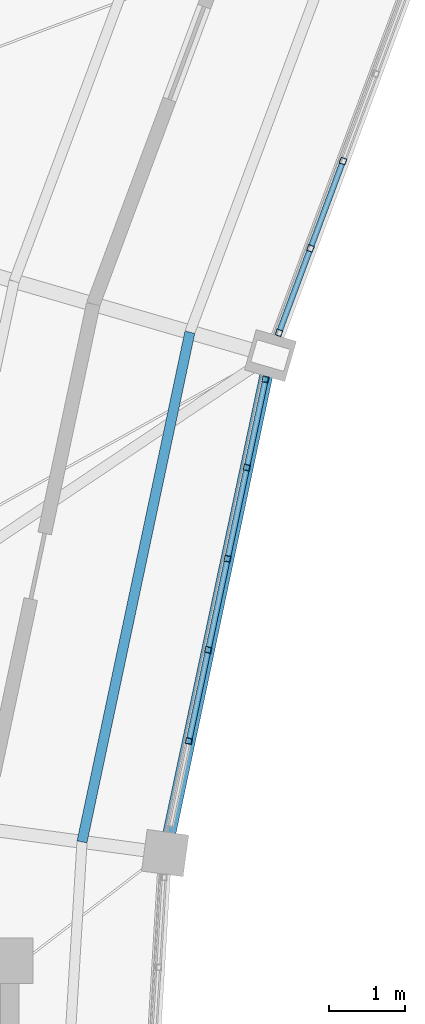
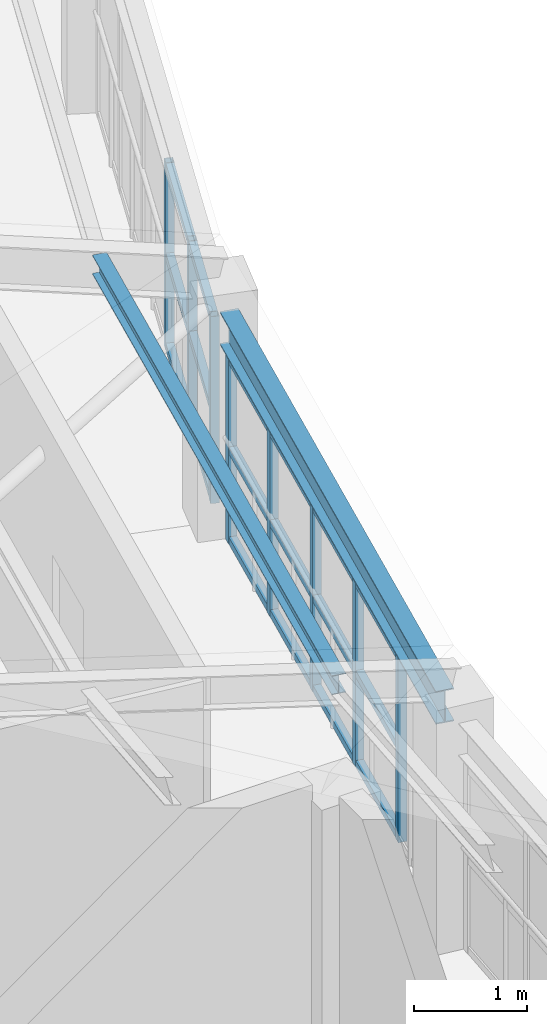
# One storey, part 65 of 149: 27 members, 1 beam, 2 elements without a shape of their own.
"""IFC4 building model written with IfcOpenShell, lengths in metres."""

from ifc_helpers import new_model, si_unit, direction, frame, origin, origin_2d, place, context, subcontext, project, spatial, hollow_rectangle, i_section, extrude, material, material_profile, profile_set, type_object, element, aggregate, save


model = new_model("IFC4")

# Units and contexts
model_context = context("Model", 3, precision=1e-05, world=origin(), true_north=direction((0.0, 1.0)))
body_context = subcontext(model_context, "Body", "Model", "MODEL_VIEW")
ifc_project = project(units=[si_unit("LENGTHUNIT", "METRE"), si_unit("AREAUNIT", "SQUARE_METRE"), si_unit("VOLUMEUNIT", "CUBIC_METRE"), si_unit("PLANEANGLEUNIT", "RADIAN"), si_unit("MASSUNIT", "GRAM", prefix="KILO")], contexts=[model_context])

# Site, building, storey
site_placement = place(None, origin())
site = spatial("IfcSite", under=ifc_project, at=site_placement, CompositionType="ELEMENT")
building_placement = place(site_placement, origin())
building = spatial("IfcBuilding", under=site, at=building_placement, Name="Celadon Cloister-Ring School", CompositionType="ELEMENT")
storey_placement = place(building_placement, frame((0.0, 0.0, 12.5)))
storey = spatial("IfcBuildingStorey", under=building, at=storey_placement, Name="L03", CompositionType="ELEMENT", Elevation=12.5)

# Curtain wall, members
ifc_material_1 = material(Name="Aluminium EN AW-6063 T6", Category="aluminium")
curtain_wall_type = type_object("IfcCurtainWallType", Name="CW-02", PredefinedType="USERDEFINED", material=ifc_material_1)
curtain_wall_1_placement = place(storey_placement, origin())
curtain_wall_1 = element("IfcCurtainWall", 1, at=curtain_wall_1_placement, inside=storey, type_object=curtain_wall_type, Name="Curtain Wall 0048", ObjectType="CURTAIN WALL", PredefinedType="USERDEFINED")
ifc_material_2 = material(Name="Aluminium EN AW-6063 T6", Category="aluminium")
ifc_material_profile_1 = material_profile(ifc_material_2, hollow_rectangle(XDim=0.080078125, YDim=0.080078125, WallThickness=0.00390625, at=origin_2d()), Name="RHS80X80X4")
ifc_profile_set_1 = profile_set([ifc_material_profile_1], Name="Aluminium EN AW-6063 T6")
member_type_1 = type_object("IfcMemberType", Name="CM-03", PredefinedType="MULLION", material=ifc_profile_set_1)
member_1_placement = place(storey_placement, frame((44.738037109375, 74.105712890625, 0.0), z_axis=(0.0, 0.0, 1.0), x_axis=(0.93694659603, -0.349472568576, 0.0)))
member_1 = element("IfcMember", 2, at=member_1_placement, type_object=member_type_1, Name="CW-02 mullion 4", PredefinedType="MULLION", context=body_context, shape_type="SweptSolid", body=[
    extrude(hollow_rectangle(XDim=0.080078125, YDim=0.080078125, WallThickness=0.00390625, at=origin_2d()), origin(), (0.0, 0.0, 1.0), 2.02001953125),
])
member_2_placement = place(storey_placement, frame((44.31103515625, 72.960693359375, 0.0), z_axis=(0.0, 0.0, 1.0), x_axis=(0.93694659603, -0.349472568576, 0.0)))
member_2 = element("IfcMember", 3, at=member_2_placement, type_object=member_type_1, Name="CW-02 mullion 5", PredefinedType="MULLION", context=body_context, shape_type="SweptSolid", body=[
    extrude(hollow_rectangle(XDim=0.080078125, YDim=0.080078125, WallThickness=0.00390625, at=origin_2d()), origin(), (0.0, 0.0, 1.0), 2.02001953125),
])
member_3_placement = place(storey_placement, frame((43.89794921875, 71.853515625, 0.0), z_axis=(0.0, 0.0, 1.0), x_axis=(0.93694659603, -0.349472568576, 0.0)))
member_3 = element("IfcMember", 4, at=member_3_placement, type_object=member_type_1, Name="CW-02 mullion 6", PredefinedType="MULLION", context=body_context, shape_type="SweptSolid", body=[
    extrude(hollow_rectangle(XDim=0.080078125, YDim=0.080078125, WallThickness=0.00390625, at=origin_2d()), origin(), (0.0, 0.0, 1.0), 2.02001953125),
])

curtain_wall_2_placement = place(storey_placement, origin())
curtain_wall_2 = element("IfcCurtainWall", 5, at=curtain_wall_2_placement, inside=storey, type_object=curtain_wall_type, Name="Curtain Wall 0049", ObjectType="CURTAIN WALL", PredefinedType="USERDEFINED")
member_4_placement = place(storey_placement, frame((43.720703125, 71.242919921875, 0.0), z_axis=(0.0, 0.0, 1.0), x_axis=(0.978328665626, -0.207058016061, 0.0)))
member_4 = element("IfcMember", 6, at=member_4_placement, type_object=member_type_1, Name="CW-02 mullion 1", PredefinedType="MULLION", context=body_context, shape_type="SweptSolid", body=[
    extrude(hollow_rectangle(XDim=0.080078125, YDim=0.080078125, WallThickness=0.00390625, at=origin_2d()), origin(), (0.0, 0.0, 1.0), 2.02001953125),
])
member_5_placement = place(storey_placement, frame((43.47607421875, 70.086669921875, 0.0), z_axis=(0.0, 0.0, 1.0), x_axis=(0.978328665626, -0.207058016061, 0.0)))
member_5 = element("IfcMember", 7, at=member_5_placement, type_object=member_type_1, Name="CW-02 mullion 2", PredefinedType="MULLION", context=body_context, shape_type="SweptSolid", body=[
    extrude(hollow_rectangle(XDim=0.080078125, YDim=0.080078125, WallThickness=0.00390625, at=origin_2d()), origin(), (0.0, 0.0, 1.0), 2.02001953125),
])
member_6_placement = place(storey_placement, frame((43.222900390625, 68.89111328125, 0.0), z_axis=(0.0, 0.0, 1.0), x_axis=(0.978328665626, -0.207058016061, 0.0)))
member_6 = element("IfcMember", 8, at=member_6_placement, type_object=member_type_1, Name="CW-02 mullion 3", PredefinedType="MULLION", context=body_context, shape_type="SweptSolid", body=[
    extrude(hollow_rectangle(XDim=0.080078125, YDim=0.080078125, WallThickness=0.00390625, at=origin_2d()), origin(), (0.0, 0.0, 1.0), 2.02001953125),
])
member_7_placement = place(storey_placement, frame((42.969970703125, 67.69580078125, 0.0), z_axis=(0.0, 0.0, 1.0), x_axis=(0.978328665626, -0.207058016061, 0.0)))
member_7 = element("IfcMember", 9, at=member_7_placement, type_object=member_type_1, Name="CW-02 mullion 4", PredefinedType="MULLION", context=body_context, shape_type="SweptSolid", body=[
    extrude(hollow_rectangle(XDim=0.080078125, YDim=0.080078125, WallThickness=0.00390625, at=origin_2d()), origin(), (0.0, 0.0, 1.0), 2.02001953125),
])
member_8_placement = place(storey_placement, frame((42.717041015625, 66.50048828125, 0.0), z_axis=(0.0, 0.0, 1.0), x_axis=(0.978328665626, -0.207058016061, 0.0)))
member_8 = element("IfcMember", 10, at=member_8_placement, type_object=member_type_1, Name="CW-02 mullion 5", PredefinedType="MULLION", context=body_context, shape_type="SweptSolid", body=[
    extrude(hollow_rectangle(XDim=0.080078125, YDim=0.080078125, WallThickness=0.00390625, at=origin_2d()), origin(), (0.0, 0.0, 1.0), 2.02001953125),
])

# Member
ifc_material_3 = material(Name="Aluminium EN AW-6063 T6", Category="aluminium")
ifc_material_profile_2 = material_profile(ifc_material_3, hollow_rectangle(XDim=0.074951171875, YDim=0.074951171875, WallThickness=0.00390625, at=origin_2d()), Name="RHS75X75X4")
ifc_profile_set_2 = profile_set([ifc_material_profile_2], Name="Aluminium EN AW-6063 T6")
member_type_2 = type_object("IfcMemberType", Name="CTM-03", PredefinedType="USERDEFINED", material=ifc_profile_set_2)
member_9_placement = place(storey_placement, frame((44.72412109375, 74.068115234375, 0.03759765625), z_axis=(-0.349576513866, -0.936907818813, 0.0), x_axis=(0.936907818813, -0.349576513866, 0.0)))
member_9 = element("IfcMember", 11, at=member_9_placement, type_object=member_type_2, Name="CW-02 transom 4.1", ObjectType="TRANSOM", PredefinedType="USERDEFINED", context=body_context, shape_type="SweptSolid", body=[
    extrude(hollow_rectangle(XDim=0.074951171875, YDim=0.074951171875, WallThickness=0.00390625, at=origin_2d()), origin(), (0.0, 0.0, 1.0), 1.141845703125),
])

member_10_placement = place(storey_placement, frame((44.72412109375, 74.068115234375, 1.010009765625), z_axis=(-0.349576513866, -0.936907818813, 0.0), x_axis=(0.936907818813, -0.349576513866, 0.0)))
member_10 = element("IfcMember", 12, at=member_10_placement, type_object=member_type_2, Name="CW-02 transom 4.2", ObjectType="TRANSOM", PredefinedType="USERDEFINED", context=body_context, shape_type="SweptSolid", body=[
    extrude(hollow_rectangle(XDim=0.074951171875, YDim=0.074951171875, WallThickness=0.00390625, at=origin_2d()), origin(), (0.0, 0.0, 1.0), 1.141845703125),
])

member_11_placement = place(storey_placement, frame((44.72412109375, 74.068115234375, 1.982421875), z_axis=(-0.349576513866, -0.936907818813, 0.0), x_axis=(0.936907818813, -0.349576513866, 0.0)))
member_11 = element("IfcMember", 13, at=member_11_placement, type_object=member_type_2, Name="CW-02 transom 4.3", ObjectType="TRANSOM", PredefinedType="USERDEFINED", context=body_context, shape_type="SweptSolid", body=[
    extrude(hollow_rectangle(XDim=0.074951171875, YDim=0.074951171875, WallThickness=0.00390625, at=origin_2d()), origin(), (0.0, 0.0, 1.0), 1.141845703125),
])

member_12_placement = place(storey_placement, frame((44.297119140625, 72.92333984375, 0.03759765625), z_axis=(-0.349593422212, -0.936901509843, 0.0), x_axis=(0.936901509843, -0.349593422212, 0.0)))
member_12 = element("IfcMember", 14, at=member_12_placement, type_object=member_type_2, Name="CW-02 transom 5.1", ObjectType="TRANSOM", PredefinedType="USERDEFINED", context=body_context, shape_type="SweptSolid", body=[
    extrude(hollow_rectangle(XDim=0.074951171875, YDim=0.074951171875, WallThickness=0.00390625, at=origin_2d()), origin(), (0.0, 0.0, 1.0), 1.10205078125),
])

member_13_placement = place(storey_placement, frame((44.297119140625, 72.92333984375, 1.010009765625), z_axis=(-0.349593422212, -0.936901509843, 0.0), x_axis=(0.936901509843, -0.349593422212, 0.0)))
member_13 = element("IfcMember", 15, at=member_13_placement, type_object=member_type_2, Name="CW-02 transom 5.2", ObjectType="TRANSOM", PredefinedType="USERDEFINED", context=body_context, shape_type="SweptSolid", body=[
    extrude(hollow_rectangle(XDim=0.074951171875, YDim=0.074951171875, WallThickness=0.00390625, at=origin_2d()), origin(), (0.0, 0.0, 1.0), 1.10205078125),
])

member_14_placement = place(storey_placement, frame((44.297119140625, 72.92333984375, 1.982421875), z_axis=(-0.349593422212, -0.936901509843, 0.0), x_axis=(0.936901509843, -0.349593422212, 0.0)))
member_14 = element("IfcMember", 16, at=member_14_placement, type_object=member_type_2, Name="CW-02 transom 5.3", ObjectType="TRANSOM", PredefinedType="USERDEFINED", context=body_context, shape_type="SweptSolid", body=[
    extrude(hollow_rectangle(XDim=0.074951171875, YDim=0.074951171875, WallThickness=0.00390625, at=origin_2d()), origin(), (0.0, 0.0, 1.0), 1.10205078125),
])

aggregate(curtain_wall_1, [member_1, member_2, member_3, member_9, member_10, member_11, member_12, member_13, member_14])

member_15_placement = place(storey_placement, frame((43.71240234375, 71.20361328125, 0.03759765625), z_axis=(-0.206970827844, -0.978347114485, 0.0), x_axis=(0.978347114485, -0.206970827844, 0.0)))
member_15 = element("IfcMember", 17, at=member_15_placement, type_object=member_type_2, Name="CW-02 transom 1.1", ObjectType="TRANSOM", PredefinedType="USERDEFINED", context=body_context, shape_type="SweptSolid", body=[
    extrude(hollow_rectangle(XDim=0.074951171875, YDim=0.074951171875, WallThickness=0.00390625, at=origin_2d()), origin(), (0.0, 0.0, 1.0), 1.101806640625),
])

member_16_placement = place(storey_placement, frame((43.71240234375, 71.20361328125, 1.010009765625), z_axis=(-0.206970827844, -0.978347114485, 0.0), x_axis=(0.978347114485, -0.206970827844, 0.0)))
member_16 = element("IfcMember", 18, at=member_16_placement, type_object=member_type_2, Name="CW-02 transom 1.2", ObjectType="TRANSOM", PredefinedType="USERDEFINED", context=body_context, shape_type="SweptSolid", body=[
    extrude(hollow_rectangle(XDim=0.074951171875, YDim=0.074951171875, WallThickness=0.00390625, at=origin_2d()), origin(), (0.0, 0.0, 1.0), 1.101806640625),
])

member_17_placement = place(storey_placement, frame((43.71240234375, 71.20361328125, 1.982421875), z_axis=(-0.206970827844, -0.978347114485, 0.0), x_axis=(0.978347114485, -0.206970827844, 0.0)))
member_17 = element("IfcMember", 19, at=member_17_placement, type_object=member_type_2, Name="CW-02 transom 1.3", ObjectType="TRANSOM", PredefinedType="USERDEFINED", context=body_context, shape_type="SweptSolid", body=[
    extrude(hollow_rectangle(XDim=0.074951171875, YDim=0.074951171875, WallThickness=0.00390625, at=origin_2d()), origin(), (0.0, 0.0, 1.0), 1.101806640625),
])

member_18_placement = place(storey_placement, frame((43.4677734375, 70.04736328125, 0.03759765625), z_axis=(-0.207206557833, -0.978297215774, 0.0), x_axis=(0.978297215774, -0.207206557833, 0.0)))
member_18 = element("IfcMember", 20, at=member_18_placement, type_object=member_type_2, Name="CW-02 transom 2.1", ObjectType="TRANSOM", PredefinedType="USERDEFINED", context=body_context, shape_type="SweptSolid", body=[
    extrude(hollow_rectangle(XDim=0.074951171875, YDim=0.074951171875, WallThickness=0.00390625, at=origin_2d()), origin(), (0.0, 0.0, 1.0), 1.1416015625),
])

member_19_placement = place(storey_placement, frame((43.4677734375, 70.04736328125, 1.010009765625), z_axis=(-0.207206557833, -0.978297215774, 0.0), x_axis=(0.978297215774, -0.207206557833, 0.0)))
member_19 = element("IfcMember", 21, at=member_19_placement, type_object=member_type_2, Name="CW-02 transom 2.2", ObjectType="TRANSOM", PredefinedType="USERDEFINED", context=body_context, shape_type="SweptSolid", body=[
    extrude(hollow_rectangle(XDim=0.074951171875, YDim=0.074951171875, WallThickness=0.00390625, at=origin_2d()), origin(), (0.0, 0.0, 1.0), 1.1416015625),
])

member_20_placement = place(storey_placement, frame((43.4677734375, 70.04736328125, 1.982421875), z_axis=(-0.207206557833, -0.978297215774, 0.0), x_axis=(0.978297215774, -0.207206557833, 0.0)))
member_20 = element("IfcMember", 22, at=member_20_placement, type_object=member_type_2, Name="CW-02 transom 2.3", ObjectType="TRANSOM", PredefinedType="USERDEFINED", context=body_context, shape_type="SweptSolid", body=[
    extrude(hollow_rectangle(XDim=0.074951171875, YDim=0.074951171875, WallThickness=0.00390625, at=origin_2d()), origin(), (0.0, 0.0, 1.0), 1.1416015625),
])

member_21_placement = place(storey_placement, frame((43.214599609375, 68.85205078125, 0.03759765625), z_axis=(-0.206958591044, -0.978349703119, 0.0), x_axis=(0.978349703119, -0.206958591044, 0.0)))
member_21 = element("IfcMember", 23, at=member_21_placement, type_object=member_type_2, Name="CW-02 transom 3.1", ObjectType="TRANSOM", PredefinedType="USERDEFINED", context=body_context, shape_type="SweptSolid", body=[
    extrude(hollow_rectangle(XDim=0.074951171875, YDim=0.074951171875, WallThickness=0.00390625, at=origin_2d()), origin(), (0.0, 0.0, 1.0), 1.141845703125),
])

member_22_placement = place(storey_placement, frame((43.214599609375, 68.85205078125, 1.010009765625), z_axis=(-0.206958591044, -0.978349703119, 0.0), x_axis=(0.978349703119, -0.206958591044, 0.0)))
member_22 = element("IfcMember", 24, at=member_22_placement, type_object=member_type_2, Name="CW-02 transom 3.2", ObjectType="TRANSOM", PredefinedType="USERDEFINED", context=body_context, shape_type="SweptSolid", body=[
    extrude(hollow_rectangle(XDim=0.074951171875, YDim=0.074951171875, WallThickness=0.00390625, at=origin_2d()), origin(), (0.0, 0.0, 1.0), 1.141845703125),
])

member_23_placement = place(storey_placement, frame((43.214599609375, 68.85205078125, 1.982421875), z_axis=(-0.206958591044, -0.978349703119, 0.0), x_axis=(0.978349703119, -0.206958591044, 0.0)))
member_23 = element("IfcMember", 25, at=member_23_placement, type_object=member_type_2, Name="CW-02 transom 3.3", ObjectType="TRANSOM", PredefinedType="USERDEFINED", context=body_context, shape_type="SweptSolid", body=[
    extrude(hollow_rectangle(XDim=0.074951171875, YDim=0.074951171875, WallThickness=0.00390625, at=origin_2d()), origin(), (0.0, 0.0, 1.0), 1.141845703125),
])

member_24_placement = place(storey_placement, frame((42.961669921875, 67.65673828125, 0.03759765625), z_axis=(-0.206958591044, -0.978349703119, 0.0), x_axis=(0.978349703119, -0.206958591044, 0.0)))
member_24 = element("IfcMember", 26, at=member_24_placement, type_object=member_type_2, Name="CW-02 transom 4.1", ObjectType="TRANSOM", PredefinedType="USERDEFINED", context=body_context, shape_type="SweptSolid", body=[
    extrude(hollow_rectangle(XDim=0.074951171875, YDim=0.074951171875, WallThickness=0.00390625, at=origin_2d()), origin(), (0.0, 0.0, 1.0), 1.141845703125),
])

member_25_placement = place(storey_placement, frame((42.961669921875, 67.65673828125, 1.010009765625), z_axis=(-0.206958591044, -0.978349703119, 0.0), x_axis=(0.978349703119, -0.206958591044, 0.0)))
member_25 = element("IfcMember", 27, at=member_25_placement, type_object=member_type_2, Name="CW-02 transom 4.2", ObjectType="TRANSOM", PredefinedType="USERDEFINED", context=body_context, shape_type="SweptSolid", body=[
    extrude(hollow_rectangle(XDim=0.074951171875, YDim=0.074951171875, WallThickness=0.00390625, at=origin_2d()), origin(), (0.0, 0.0, 1.0), 1.141845703125),
])

member_26_placement = place(storey_placement, frame((42.961669921875, 67.65673828125, 1.982421875), z_axis=(-0.206958591044, -0.978349703119, 0.0), x_axis=(0.978349703119, -0.206958591044, 0.0)))
member_26 = element("IfcMember", 28, at=member_26_placement, type_object=member_type_2, Name="CW-02 transom 4.3", ObjectType="TRANSOM", PredefinedType="USERDEFINED", context=body_context, shape_type="SweptSolid", body=[
    extrude(hollow_rectangle(XDim=0.074951171875, YDim=0.074951171875, WallThickness=0.00390625, at=origin_2d()), origin(), (0.0, 0.0, 1.0), 1.141845703125),
])

aggregate(curtain_wall_2, [member_4, member_5, member_6, member_7, member_8, member_15, member_16, member_17, member_18, member_19, member_20, member_21, member_22, member_23, member_24, member_25, member_26])

# Beam
ifc_material_4 = material(Name="Structural steel S355JR", Category="steel")
ifc_material_profile_3 = material_profile(ifc_material_4, i_section(OverallWidth=0.1708984375, OverallDepth=0.35498046875, WebThickness=0.007080078125, FlangeThickness=0.01171875, at=origin_2d()), Name="W360X51")
ifc_profile_set_3 = profile_set([ifc_material_profile_3], Name="Structural steel S355JR")
beam_type = type_object("IfcBeamType", Name="GT-08", PredefinedType="USERDEFINED", material=ifc_profile_set_3)
beam_placement = place(storey_placement, frame((43.735107421875, 71.31005859375, 2.27197265625), z_axis=(-0.207097779253, -0.978320249115, 0.0), x_axis=(0.978320249115, -0.207097779253, 0.0)))
element("IfcBeam", 29, at=beam_placement, inside=storey, type_object=beam_type, Name="Beam 0535", ObjectType="GIRDER", PredefinedType="USERDEFINED", context=body_context, shape_type="SweptSolid", body=[
    extrude(i_section(OverallWidth=0.1708984375, OverallDepth=0.35498046875, WebThickness=0.007080078125, FlangeThickness=0.01171875, at=origin_2d()), origin(), (0.0, 0.0, 1.0), 6.166748046875),
])

# Member
ifc_material_5 = material(Name="Structural steel S355JR", Category="steel")
ifc_material_profile_4 = material_profile(ifc_material_5, i_section(OverallWidth=0.133056640625, OverallDepth=0.20703125, WebThickness=0.005859375, FlangeThickness=0.00830078125, at=origin_2d()), Name="W200X27")
ifc_profile_set_4 = profile_set([ifc_material_profile_4], Name="Structural steel S355JR")
member_type_3 = type_object("IfcMemberType", Name="MP-04", PredefinedType="PURLIN", material=ifc_profile_set_4)
member_27_placement = place(storey_placement, frame((42.72998046875, 71.861083984375, 2.970947265625), z_axis=(-0.207062561543, -0.978327703588, 0.0), x_axis=(0.978327703588, -0.207062561543, 0.0)))
element("IfcMember", 30, at=member_27_placement, inside=storey, type_object=member_type_3, Name="Structural Member 0101", PredefinedType="PURLIN", context=body_context, shape_type="SweptSolid", body=[
    extrude(i_section(OverallWidth=0.133056640625, OverallDepth=0.20703125, WebThickness=0.005859375, FlangeThickness=0.00830078125, at=origin_2d()), origin(), (0.0, 0.0, 1.0), 6.8291015625),
])

save(model, "model.ifc")
